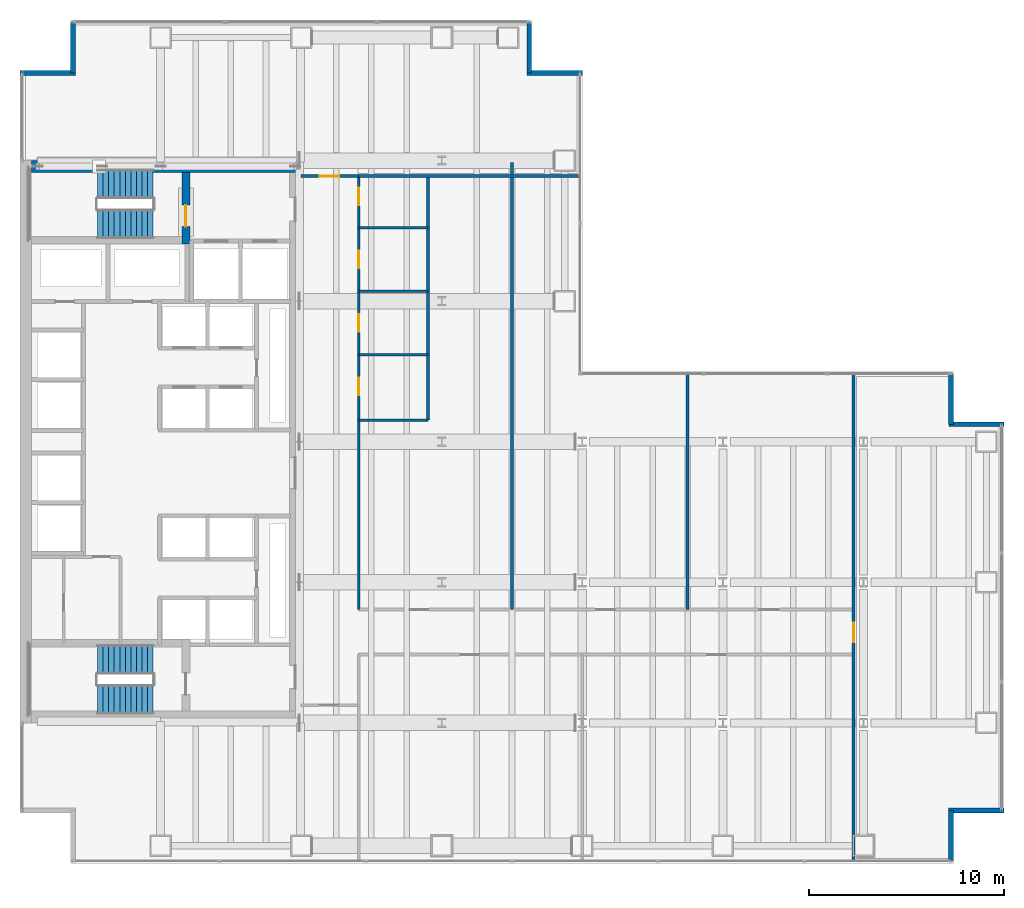
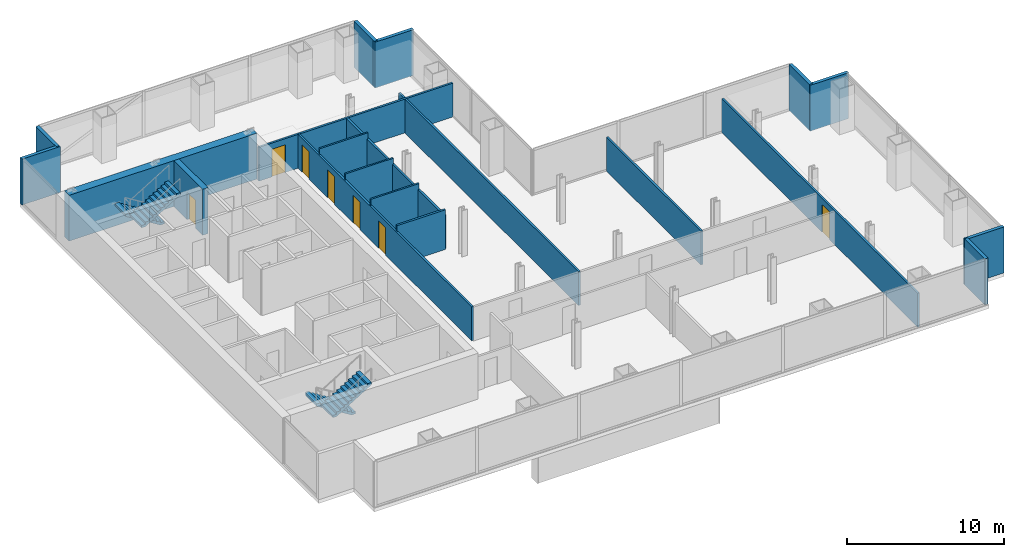
# One storey, part 22 of 24: 21 walls, 7 doors, 4 stair flights, 7 openings, 2 elements without a shape of their own.
"""IFC4 building model written with IfcOpenShell, lengths in metres."""

from ifc_helpers import new_model, si_unit, direction, frame, frame_2d, origin, place, context, subcontext, project, spatial, polyline, rectangle, outline, extrude, material, layer, layer_set, type_object, element, fill, aggregate, save


model = new_model("IFC4")

# Units and contexts
model_context = context("Model", 3, precision=1e-05, world=origin(), true_north=direction((0.0, 1.0)))
body_context = subcontext(model_context, "Body", "Model", "MODEL_VIEW")
ifc_project = project(units=[si_unit("LENGTHUNIT", "METRE"), si_unit("AREAUNIT", "SQUARE_METRE"), si_unit("VOLUMEUNIT", "CUBIC_METRE"), si_unit("PLANEANGLEUNIT", "RADIAN"), si_unit("MASSUNIT", "GRAM", prefix="KILO")], contexts=[model_context])

# Site, building, storey
site_placement = place(None, origin())
site = spatial("IfcSite", under=ifc_project, at=site_placement, CompositionType="ELEMENT")
building_placement = place(site_placement, origin())
building = spatial("IfcBuilding", under=site, at=building_placement, Name="Cobrela Telecom Tower", CompositionType="ELEMENT")
storey_placement = place(building_placement, frame((0.0, 0.0, 31.14990234375)))
storey = spatial("IfcBuildingStorey", under=building, at=storey_placement, Name="L07", CompositionType="ELEMENT", Elevation=31.14990234375)

# Walls
ifc_material_1 = material(Name="Concrete C50/60", Category="concrete")
ifc_layer_1 = layer(ifc_material_1, 0.60009765625)
ifc_layer_set_1 = layer_set([ifc_layer_1], Name="Concrete C50/60")
wall_type_1 = type_object("IfcWallType", Name="WALL-CORE-C50-600", PredefinedType="SHEAR", material=ifc_layer_set_1)
wall_1_placement = place(storey_placement, frame((0.60009765625, 35.699951171875, 0.0), z_axis=(0.0, 0.0, 1.0), x_axis=(1.0, 0.0, 0.0)))
element("IfcWall", 1, at=wall_1_placement, inside=storey, type_object=wall_type_1, Name="L07 North Core Shear Wall", PredefinedType="SHEAR", context=body_context, shape_type="SweptSolid", body=[
    extrude(rectangle(XDim=13.7998046875, YDim=0.60009765625, at=frame_2d((6.89990234375, 0.0))), origin(), (0.0, 0.0, 1.0), 3.570068359375),
])
ifc_material_2 = material(Name="Concrete C40/50", Category="concrete")
ifc_layer_2 = layer(ifc_material_2, 0.239990234375)
ifc_layer_set_2 = layer_set([ifc_layer_2], Name="Concrete C40/50")
wall_type_2 = type_object("IfcWallType", Name="WALL-EXT-300", PredefinedType="STANDARD", material=ifc_layer_set_2)
wall_2_placement = place(storey_placement, frame((0.0, 40.489990234375, 0.0), z_axis=(0.0, 0.0, 1.0), x_axis=(1.0, 0.0, 0.0)))
element("IfcWall", 2, at=wall_2_placement, inside=storey, type_object=wall_type_2, Name="L07 Insulated Facade Wall 05", PredefinedType="STANDARD", context=body_context, shape_type="SweptSolid", body=[
    extrude(rectangle(XDim=2.830078125, YDim=0.239990234375, at=frame_2d((1.4150390625, 0.0))), origin(), (0.0, 0.0, 1.0), 3.570068359375),
])
for number, where, z_axis, x_axis, name in (
    (3, (2.7099609375, 40.489990234375, 0.0), (0.0, 0.0, 1.0), (0.0, 1.0, 0.0), "L07 Insulated Facade Wall 06"),
    (4, (26.090087890625, 43.080078125, 0.0), (0.0, 0.0, 1.0), (0.0, -1.0, 0.0), "L07 Insulated Facade Wall 08"),
):
    element("IfcWall", number, at=place(storey_placement, frame(where, z_axis=z_axis, x_axis=x_axis)), inside=storey, type_object=wall_type_2, Name=name, PredefinedType="STANDARD", context=body_context, shape_type="SweptSolid", body=[
        extrude(rectangle(XDim=2.590087890625, YDim=0.239990234375, at=frame_2d((1.294921875, 0.0))), origin(), (0.0, 0.0, 1.0), 3.570068359375),
    ])
wall_3_placement = place(storey_placement, frame((25.969970703125, 40.489990234375, 0.0), z_axis=(0.0, 0.0, 1.0), x_axis=(1.0, 0.0, 0.0)))
element("IfcWall", 5, at=wall_3_placement, inside=storey, type_object=wall_type_2, Name="L07 Insulated Facade Wall 09", PredefinedType="STANDARD", context=body_context, shape_type="SweptSolid", body=[
    extrude(rectangle(XDim=2.830078125, YDim=0.239990234375, at=frame_2d((1.4150390625, 0.0))), origin(), (0.0, 0.0, 1.0), 3.570068359375),
])
wall_4_placement = place(storey_placement, frame((47.68994140625, 25.080078125, 0.0), z_axis=(0.0, 0.0, 1.0), x_axis=(0.0, -1.0, 0.0)))
element("IfcWall", 6, at=wall_4_placement, inside=storey, type_object=wall_type_2, Name="L07 Insulated Facade Wall 12", PredefinedType="STANDARD", context=body_context, shape_type="SweptSolid", body=[
    extrude(rectangle(XDim=2.590087890625, YDim=0.239990234375, at=frame_2d((1.294921875, 0.0))), origin(), (0.0, 0.0, 1.0), 3.570068359375),
])
for number, where, z_axis, x_axis, name in (
    (7, (47.570068359375, 22.489990234375, 0.0), (0.0, 0.0, 1.0), (1.0, 0.0, 0.0), "L07 Insulated Facade Wall 13"),
    (8, (50.39990234375, 2.7099609375, 0.0), (0.0, 0.0, 1.0), (-1.0, 0.0, 0.0), "L07 Insulated Facade Wall 15"),
):
    element("IfcWall", number, at=place(storey_placement, frame(where, z_axis=z_axis, x_axis=x_axis)), inside=storey, type_object=wall_type_2, Name=name, PredefinedType="STANDARD", context=body_context, shape_type="SweptSolid", body=[
        extrude(rectangle(XDim=2.829833984375, YDim=0.239990234375, at=frame_2d((1.4150390625, 0.0))), origin(), (0.0, 0.0, 1.0), 3.570068359375),
    ])
wall_5_placement = place(storey_placement, frame((47.68994140625, 2.7099609375, 0.0), z_axis=(0.0, 0.0, 1.0), x_axis=(0.0, -1.0, 0.0)))
element("IfcWall", 9, at=wall_5_placement, inside=storey, type_object=wall_type_2, Name="L07 Insulated Facade Wall 16", PredefinedType="STANDARD", context=body_context, shape_type="SweptSolid", body=[
    extrude(rectangle(XDim=2.58984375, YDim=0.239990234375, at=frame_2d((1.294921875, 0.0))), origin(), (0.0, 0.0, 1.0), 3.570068359375),
])
ifc_material_3 = material(Name="Fire-Rated Gypsum Plasterboard")
ifc_layer_3 = layer(ifc_material_3, 0.125)
ifc_layer_set_3 = layer_set([ifc_layer_3], Name="Fire-Rated Gypsum Plasterboard")
wall_type_3 = type_object("IfcWallType", Name="WALL-PART-125", PredefinedType="PARTITIONING", material=ifc_layer_set_3)
for number, where, z_axis, x_axis, name in (
    (10, (17.35009765625, 26.050048828125, 0.0), (0.0, 0.0, 1.0), (1.0, 0.0, 0.0), "L07 Interior Partition W-WCD-1"),
    (11, (17.35009765625, 29.300048828125, 0.0), (0.0, 0.0, 1.0), (1.0, 0.0, 0.0), "L07 Interior Partition W-WCD-2"),
    (12, (17.35009765625, 32.550048828125, 0.0), (0.0, 0.0, 1.0), (1.0, 0.0, 0.0), "L07 Interior Partition W-WCD-3"),
):
    element("IfcWall", number, at=place(storey_placement, frame(where, z_axis=z_axis, x_axis=x_axis)), inside=storey, type_object=wall_type_3, Name=name, PredefinedType="PARTITIONING", context=body_context, shape_type="SweptSolid", body=[
        extrude(rectangle(XDim=3.5498046875, YDim=0.125, at=frame_2d((1.77490234375, 0.0))), origin(), (0.0, 0.0, 1.0), 3.088134765625),
    ])

# Wall, opening, door
ifc_layer_4 = layer(ifc_material_3, 0.14990234375)
ifc_layer_set_4 = layer_set([ifc_layer_4], Name="Fire-Rated Gypsum Plasterboard")
wall_type_4 = type_object("IfcWallType", Name="WALL-PART-150", PredefinedType="PARTITIONING", material=ifc_layer_set_4)
wall_6_placement = place(storey_placement, frame((14.39990234375, 35.199951171875, 0.0), z_axis=(0.0, 0.0, 1.0), x_axis=(1.0, 0.0, 0.0)))
wall_6 = element("IfcWall", 13, at=wall_6_placement, inside=storey, type_object=wall_type_4, Name="L07 Interior Partition W-C-N0", PredefinedType="PARTITIONING", context=body_context, shape_type="SweptSolid", body=[
    extrude(rectangle(XDim=2.9501953125, YDim=0.14990234375, at=frame_2d((1.47509765625, 0.0))), origin(), (0.0, 0.0, 1.0), 2.628173828125),
])
opening_1_placement = place(wall_6_placement, frame((0.949951171875, 0.0, 0.0)))
opening_1 = element("IfcOpeningElement", 14, at=opening_1_placement, cuts=wall_6, Name="Opening DR-31", PredefinedType="OPENING", context=body_context, shape_type="SweptSolid", body=[
    extrude(rectangle(XDim=1.0, YDim=2.14990234375, at=frame_2d((0.5, 1.074951171875))), frame((0.0, 0.0869140625, 0.0), z_axis=(0.0, -1.0, 0.0), x_axis=(1.0, 0.0, 0.0)), (0.0, 0.0, 1.0), 0.173828125),
])
ifc_material_4 = material(Name="Solid Engineered Oak Timber", Category="wood")
door_type_1 = type_object("IfcDoorType", Name="DOOR-INT-1000", OperationType="SINGLE_SWING_LEFT", PredefinedType="DOOR", material=ifc_material_4)
door_1_placement = place(opening_1_placement, origin())
door_1 = element("IfcDoor", 15, at=door_1_placement, inside=storey, type_object=door_type_1, Name="L07 Door DR-31", OperationType="SINGLE_SWING_LEFT", OverallHeight=2.14990234375, OverallWidth=1.0, PredefinedType="DOOR", context=body_context, shape_type="SweptSolid", body=[
    extrude(rectangle(XDim=1.0, YDim=2.14990234375, at=frame_2d((0.5, 1.074951171875))), frame((0.0, 0.02490234375, 0.0), z_axis=(0.0, -1.0, 0.0), x_axis=(1.0, 0.0, 0.0)), (0.0, 0.0, 1.0), 0.050048828125),
])
fill(opening_1, door_1)

# Wall, openings, doors
wall_7_placement = place(storey_placement, frame((17.35009765625, 13.0, 0.0), z_axis=(0.0, 0.0, 1.0), x_axis=(0.0, 1.0, 0.0)))
wall_7 = element("IfcWall", 16, at=wall_7_placement, inside=storey, type_object=wall_type_4, Name="L07 Interior Partition W-C-E2", PredefinedType="PARTITIONING", context=body_context, shape_type="SweptSolid", body=[
    extrude(rectangle(XDim=22.199951171875, YDim=0.14990234375, at=frame_2d((11.10009765625, 0.0))), origin(), (0.0, 0.0, 1.0), 2.628173828125),
])
opening_2_placement = place(wall_7_placement, frame((10.97998046875, 0.0, 0.0)))
opening_2 = element("IfcOpeningElement", 17, at=opening_2_placement, cuts=wall_7, Name="Opening DR-41", PredefinedType="OPENING", context=body_context, shape_type="SweptSolid", body=[
    extrude(rectangle(XDim=0.89990234375, YDim=2.14990234375, at=frame_2d((0.449951171875, 1.074951171875))), frame((0.0, 0.0869140625, 0.0), z_axis=(0.0, -1.0, 0.0), x_axis=(1.0, 0.0, 0.0)), (0.0, 0.0, 1.0), 0.173828125),
])
opening_3_placement = place(wall_7_placement, frame((14.22998046875, 0.0, 0.0)))
opening_3 = element("IfcOpeningElement", 18, at=opening_3_placement, cuts=wall_7, Name="Opening DR-41", PredefinedType="OPENING", context=body_context, shape_type="SweptSolid", body=[
    extrude(rectangle(XDim=0.89990234375, YDim=2.14990234375, at=frame_2d((0.449951171875, 1.074951171875))), frame((0.0, 0.0869140625, 0.0), z_axis=(0.0, -1.0, 0.0), x_axis=(1.0, 0.0, 0.0)), (0.0, 0.0, 1.0), 0.173828125),
])
opening_4_placement = place(wall_7_placement, frame((17.47998046875, 0.0, 0.0)))
opening_4 = element("IfcOpeningElement", 19, at=opening_4_placement, cuts=wall_7, Name="Opening DR-41", PredefinedType="OPENING", context=body_context, shape_type="SweptSolid", body=[
    extrude(rectangle(XDim=0.89990234375, YDim=2.14990234375, at=frame_2d((0.449951171875, 1.074951171875))), frame((0.0, 0.0869140625, 0.0), z_axis=(0.0, -1.0, 0.0), x_axis=(1.0, 0.0, 0.0)), (0.0, 0.0, 1.0), 0.173828125),
])
opening_5_placement = place(wall_7_placement, frame((20.719970703125, 0.0, 0.0)))
opening_5 = element("IfcOpeningElement", 20, at=opening_5_placement, cuts=wall_7, Name="Opening DR-41", PredefinedType="OPENING", context=body_context, shape_type="SweptSolid", body=[
    extrude(rectangle(XDim=0.89990234375, YDim=2.14990234375, at=frame_2d((0.449951171875, 1.074951171875))), frame((0.0, 0.0869140625, 0.0), z_axis=(0.0, -1.0, 0.0), x_axis=(1.0, 0.0, 0.0)), (0.0, 0.0, 1.0), 0.173828125),
])
door_type_2 = type_object("IfcDoorType", Name="DOOR-INT-900", OperationType="SINGLE_SWING_LEFT", PredefinedType="DOOR", material=ifc_material_4)
door_2_placement = place(opening_2_placement, origin())
door_2 = element("IfcDoor", 21, at=door_2_placement, inside=storey, type_object=door_type_2, Name="L07 Door DR-41", OperationType="SINGLE_SWING_LEFT", OverallHeight=2.14990234375, OverallWidth=0.89990234375, PredefinedType="DOOR", context=body_context, shape_type="SweptSolid", body=[
    extrude(rectangle(XDim=0.89990234375, YDim=2.14990234375, at=frame_2d((0.449951171875, 1.074951171875))), frame((0.0, 0.02490234375, 0.0), z_axis=(0.0, -1.0, 0.0), x_axis=(1.0, 0.0, 0.0)), (0.0, 0.0, 1.0), 0.050048828125),
])
fill(opening_2, door_2)
door_3_placement = place(opening_3_placement, origin())
door_3 = element("IfcDoor", 22, at=door_3_placement, inside=storey, type_object=door_type_2, Name="L07 Door DR-41", OperationType="SINGLE_SWING_RIGHT", OverallHeight=2.14990234375, OverallWidth=0.89990234375, PredefinedType="DOOR", context=body_context, shape_type="SweptSolid", body=[
    extrude(rectangle(XDim=0.89990234375, YDim=2.14990234375, at=frame_2d((0.449951171875, 1.074951171875))), frame((0.0, 0.02490234375, 0.0), z_axis=(0.0, -1.0, 0.0), x_axis=(1.0, 0.0, 0.0)), (0.0, 0.0, 1.0), 0.050048828125),
])
fill(opening_3, door_3)
door_4_placement = place(opening_4_placement, origin())
door_4 = element("IfcDoor", 23, at=door_4_placement, inside=storey, type_object=door_type_2, Name="L07 Door DR-41", OperationType="SINGLE_SWING_LEFT", OverallHeight=2.14990234375, OverallWidth=0.89990234375, PredefinedType="DOOR", context=body_context, shape_type="SweptSolid", body=[
    extrude(rectangle(XDim=0.89990234375, YDim=2.14990234375, at=frame_2d((0.449951171875, 1.074951171875))), frame((0.0, 0.02490234375, 0.0), z_axis=(0.0, -1.0, 0.0), x_axis=(1.0, 0.0, 0.0)), (0.0, 0.0, 1.0), 0.050048828125),
])
fill(opening_4, door_4)
door_5_placement = place(opening_5_placement, origin())
door_5 = element("IfcDoor", 24, at=door_5_placement, inside=storey, type_object=door_type_2, Name="L07 Door DR-41", OperationType="SINGLE_SWING_RIGHT", OverallHeight=2.14990234375, OverallWidth=0.89990234375, PredefinedType="DOOR", context=body_context, shape_type="SweptSolid", body=[
    extrude(rectangle(XDim=0.89990234375, YDim=2.14990234375, at=frame_2d((0.449951171875, 1.074951171875))), frame((0.0, 0.02490234375, 0.0), z_axis=(0.0, -1.0, 0.0), x_axis=(1.0, 0.0, 0.0)), (0.0, 0.0, 1.0), 0.050048828125),
])
fill(opening_5, door_5)

# Wall, opening, door
wall_8_placement = place(storey_placement, frame((42.699951171875, 0.1201171875, 0.0), z_axis=(0.0, 0.0, 1.0), x_axis=(0.0, 1.0, 0.0)))
wall_8 = element("IfcWall", 25, at=wall_8_placement, inside=storey, type_object=wall_type_4, Name="L07 Interior Partition W-C-END", PredefinedType="PARTITIONING", context=body_context, shape_type="SweptSolid", body=[
    extrude(rectangle(XDim=24.9599609375, YDim=0.14990234375, at=frame_2d((12.47998046875, 0.0))), origin(), (0.0, 0.0, 1.0), 2.628173828125),
])
opening_6_placement = place(wall_8_placement, frame((11.199951171875, 0.0, 0.0)))
opening_6 = element("IfcOpeningElement", 26, at=opening_6_placement, cuts=wall_8, Name="Opening DR-31", PredefinedType="OPENING", context=body_context, shape_type="SweptSolid", body=[
    extrude(rectangle(XDim=1.0, YDim=2.14990234375, at=frame_2d((0.5, 1.074951171875))), frame((0.0, 0.0869140625, 0.0), z_axis=(0.0, -1.0, 0.0), x_axis=(1.0, 0.0, 0.0)), (0.0, 0.0, 1.0), 0.173828125),
])
door_6_placement = place(opening_6_placement, origin())
door_6 = element("IfcDoor", 27, at=door_6_placement, inside=storey, type_object=door_type_1, Name="L07 Door DR-31", OperationType="SINGLE_SWING_LEFT", OverallHeight=2.14990234375, OverallWidth=1.0, PredefinedType="DOOR", context=body_context, shape_type="SweptSolid", body=[
    extrude(rectangle(XDim=1.0, YDim=2.14990234375, at=frame_2d((0.5, 1.074951171875))), frame((0.0, 0.02490234375, 0.0), z_axis=(0.0, -1.0, 0.0), x_axis=(1.0, 0.0, 0.0)), (0.0, 0.0, 1.0), 0.050048828125),
])
fill(opening_6, door_6)

# Walls
wall_9_placement = place(storey_placement, frame((17.35009765625, 35.199951171875, 0.0), z_axis=(0.0, 0.0, 1.0), x_axis=(1.0, 0.0, 0.0)))
element("IfcWall", 28, at=wall_9_placement, inside=storey, type_object=wall_type_4, Name="L07 Interior Partition W-NW-S", PredefinedType="PARTITIONING", context=body_context, shape_type="SweptSolid", body=[
    extrude(rectangle(XDim=11.329833984375, YDim=0.14990234375, at=frame_2d((5.6650390625, 0.0))), origin(), (0.0, 0.0, 1.0), 2.628173828125),
])
wall_10_placement = place(storey_placement, frame((17.35009765625, 22.699951171875, 0.0), z_axis=(0.0, 0.0, 1.0), x_axis=(1.0, 0.0, 0.0)))
element("IfcWall", 29, at=wall_10_placement, inside=storey, type_object=wall_type_4, Name="L07 Interior Partition W-WC-S", PredefinedType="PARTITIONING", context=body_context, shape_type="SweptSolid", body=[
    extrude(rectangle(XDim=3.5498046875, YDim=0.14990234375, at=frame_2d((1.77490234375, 0.0))), origin(), (0.0, 0.0, 1.0), 3.088134765625),
])
wall_11_placement = place(storey_placement, frame((20.89990234375, 22.699951171875, 0.0), z_axis=(0.0, 0.0, 1.0), x_axis=(0.0, 1.0, 0.0)))
element("IfcWall", 30, at=wall_11_placement, inside=storey, type_object=wall_type_4, Name="L07 Interior Partition W-WC-E", PredefinedType="PARTITIONING", context=body_context, shape_type="SweptSolid", body=[
    extrude(rectangle(XDim=12.5, YDim=0.14990234375, at=frame_2d((6.25, 0.0))), origin(), (0.0, 0.0, 1.0), 2.628173828125),
])
wall_12_placement = place(storey_placement, frame((25.199951171875, 13.0, 0.0), z_axis=(0.0, 0.0, 1.0), x_axis=(0.0, 1.0, 0.0)))
element("IfcWall", 31, at=wall_12_placement, inside=storey, type_object=wall_type_4, Name="L07 Interior Partition W-NV-1", PredefinedType="PARTITIONING", context=body_context, shape_type="SweptSolid", body=[
    extrude(rectangle(XDim=22.89990234375, YDim=0.14990234375, at=frame_2d((11.449951171875, 0.0))), origin(), (0.0, 0.0, 1.0), 2.628173828125),
])
wall_13_placement = place(storey_placement, frame((34.199951171875, 13.0, 0.0), z_axis=(0.0, 0.0, 1.0), x_axis=(0.0, 1.0, 0.0)))
element("IfcWall", 32, at=wall_13_placement, inside=storey, type_object=wall_type_4, Name="L07 Interior Partition W-NV-2", PredefinedType="PARTITIONING", context=body_context, shape_type="SweptSolid", body=[
    extrude(rectangle(XDim=12.050048828125, YDim=0.14990234375, at=frame_2d((6.02490234375, 0.0))), origin(), (0.0, 0.0, 1.0), 2.628173828125),
])

# Wall, opening, door
ifc_layer_5 = layer(ifc_material_2, 0.39990234375)
ifc_layer_set_5 = layer_set([ifc_layer_5], Name="Concrete C40/50")
wall_type_5 = type_object("IfcWallType", Name="WALL-SHAFT-C40-400", PredefinedType="SHEAR", material=ifc_layer_set_5)
wall_14_placement = place(storey_placement, frame((8.5, 31.719970703125, 0.0), z_axis=(0.0, 0.0, 1.0), x_axis=(0.0, 1.0, 0.0)))
wall_14 = element("IfcWall", 33, at=wall_14_placement, inside=storey, type_object=wall_type_5, Name="L07 North Stair Lobby Shear Wall", PredefinedType="SHEAR", context=body_context, shape_type="SweptSolid", body=[
    extrude(rectangle(XDim=3.679931640625, YDim=0.39990234375, at=frame_2d((1.83984375, 0.0))), origin(), (0.0, 0.0, 1.0), 3.570068359375),
])
opening_7_placement = place(wall_14_placement, frame((0.89990234375, 0.0, 0.0)))
opening_7 = element("IfcOpeningElement", 34, at=opening_7_placement, cuts=wall_14, Name="Opening DR-59", PredefinedType="OPENING", context=body_context, shape_type="SweptSolid", body=[
    extrude(rectangle(XDim=1.10009765625, YDim=2.14990234375, at=frame_2d((0.550048828125, 1.074951171875))), frame((0.0, 0.2119140625, 0.0), z_axis=(0.0, -1.0, 0.0), x_axis=(1.0, 0.0, 0.0)), (0.0, 0.0, 1.0), 0.423828125),
])
ifc_material_5 = material(Name="Steel ASTM A36", Category="steel")
door_type_3 = type_object("IfcDoorType", Name="DOOR-FD60-1100", OperationType="SINGLE_SWING_LEFT", PredefinedType="DOOR", material=ifc_material_5)
door_7_placement = place(opening_7_placement, origin())
door_7 = element("IfcDoor", 35, at=door_7_placement, inside=storey, type_object=door_type_3, Name="L07 Door DR-59", OperationType="SINGLE_SWING_RIGHT", OverallHeight=2.14990234375, OverallWidth=1.10009765625, PredefinedType="DOOR", context=body_context, shape_type="SweptSolid", body=[
    extrude(rectangle(XDim=1.10009765625, YDim=2.14990234375, at=frame_2d((0.550048828125, 1.074951171875))), frame((0.0, 0.02490234375, 0.0), z_axis=(0.0, -1.0, 0.0), x_axis=(1.0, 0.0, 0.0)), (0.0, 0.0, 1.0), 0.050048828125),
])
fill(opening_7, door_7)

# Stair, stair flights
stair_type = type_object("IfcStairType", Name="STAIR-CORE", PredefinedType="HALF_TURN_STAIR", material=ifc_material_2)
stair_1_placement = place(storey_placement, origin())
stair_1 = element("IfcStair", 36, at=stair_1_placement, inside=storey, type_object=stair_type, Name="L07 Smokeproof Exit Stair ST1", PredefinedType="HALF_TURN_STAIR")
stair_flight_type = type_object("IfcStairFlightType", Name="FLIGHT-CORE", PredefinedType="STRAIGHT", material=ifc_material_2)
stair_flight_1_placement = place(storey_placement, frame((6.820068359375, 34.800048828125, 0.0), z_axis=(0.0, 0.0, 1.0), x_axis=(-1.0, 0.0, 0.0)))
stair_flight_1 = element("IfcStairFlight", 37, at=stair_flight_1_placement, type_object=stair_flight_type, Name="ST1 flight 1", NumberOfRisers=11, NumberOfTreads=10, PredefinedType="STRAIGHT", RiserHeight=0.175, TreadLength=0.285, context=body_context, shape_type="SweptSolid", body=[
    extrude(outline(polyline([(0.0, 0.0), (0.0, 0.175048828125), (0.284912109375, 0.175048828125), (0.284912109375, 0.35009765625), (0.570068359375, 0.35009765625), (0.570068359375, 0.52490234375), (0.85498046875, 0.52490234375), (0.85498046875, 0.699951171875), (1.139892578125, 0.699951171875), (1.139892578125, 0.875), (1.425048828125, 0.875), (1.425048828125, 1.050048828125), (1.7099609375, 1.050048828125), (1.7099609375, 1.22509765625), (1.9951171875, 1.22509765625), (1.9951171875, 1.39990234375), (2.280029296875, 1.39990234375), (2.280029296875, 1.574951171875), (2.56494140625, 1.574951171875), (2.56494140625, 1.75), (2.85009765625, 1.75), (2.85009765625, 1.925048828125), (2.85009765625, 1.573974609375), (0.286376953125, 0.0), (0.0, 0.0)])), frame((0.0, 0.75, 0.0), z_axis=(0.0, -1.0, 0.0), x_axis=(1.0, 0.0, 0.0)), (0.0, 0.0, 1.0), 1.5),
])
stair_flight_2_placement = place(storey_placement, frame((3.969970703125, 32.75, 1.925048828125), z_axis=(0.0, 0.0, 1.0), x_axis=(1.0, 0.0, 0.0)))
stair_flight_2 = element("IfcStairFlight", 38, at=stair_flight_2_placement, type_object=stair_flight_type, Name="ST1 flight 2", NumberOfRisers=11, NumberOfTreads=10, PredefinedType="STRAIGHT", RiserHeight=0.175, TreadLength=0.285, context=body_context, shape_type="SweptSolid", body=[
    extrude(outline(polyline([(0.0, 0.0), (0.0, 0.175048828125), (0.284912109375, 0.175048828125), (0.284912109375, 0.35009765625), (0.570068359375, 0.35009765625), (0.570068359375, 0.52490234375), (0.85498046875, 0.52490234375), (0.85498046875, 0.699951171875), (1.139892578125, 0.699951171875), (1.139892578125, 0.875), (1.425048828125, 0.875), (1.425048828125, 1.050048828125), (1.7099609375, 1.050048828125), (1.7099609375, 1.22509765625), (1.9951171875, 1.22509765625), (1.9951171875, 1.39990234375), (2.280029296875, 1.39990234375), (2.280029296875, 1.574951171875), (2.56494140625, 1.574951171875), (2.56494140625, 1.75), (2.85009765625, 1.75), (2.85009765625, 1.925048828125), (2.85009765625, 1.573974609375), (0.286376953125, 0.0), (0.0, 0.0)])), frame((0.0, 0.75, 0.0), z_axis=(0.0, -1.0, 0.0), x_axis=(1.0, 0.0, 0.0)), (0.0, 0.0, 1.0), 1.5),
])
aggregate(stair_1, [stair_flight_1, stair_flight_2])

stair_2_placement = place(storey_placement, origin())
stair_2 = element("IfcStair", 39, at=stair_2_placement, inside=storey, type_object=stair_type, Name="L07 Smokeproof Exit Stair ST2", PredefinedType="HALF_TURN_STAIR")
stair_flight_3_placement = place(storey_placement, frame((6.820068359375, 10.449951171875, 0.0), z_axis=(0.0, 0.0, 1.0), x_axis=(-1.0, 0.0, 0.0)))
stair_flight_3 = element("IfcStairFlight", 40, at=stair_flight_3_placement, type_object=stair_flight_type, Name="ST2 flight 1", NumberOfRisers=11, NumberOfTreads=10, PredefinedType="STRAIGHT", RiserHeight=0.175, TreadLength=0.285, context=body_context, shape_type="SweptSolid", body=[
    extrude(outline(polyline([(0.0, 0.0), (0.0, 0.175048828125), (0.284912109375, 0.175048828125), (0.284912109375, 0.35009765625), (0.570068359375, 0.35009765625), (0.570068359375, 0.52490234375), (0.85498046875, 0.52490234375), (0.85498046875, 0.699951171875), (1.139892578125, 0.699951171875), (1.139892578125, 0.875), (1.425048828125, 0.875), (1.425048828125, 1.050048828125), (1.7099609375, 1.050048828125), (1.7099609375, 1.22509765625), (1.9951171875, 1.22509765625), (1.9951171875, 1.39990234375), (2.280029296875, 1.39990234375), (2.280029296875, 1.574951171875), (2.56494140625, 1.574951171875), (2.56494140625, 1.75), (2.85009765625, 1.75), (2.85009765625, 1.925048828125), (2.85009765625, 1.573974609375), (0.286376953125, 0.0), (0.0, 0.0)])), frame((0.0, 0.75, 0.0), z_axis=(0.0, -1.0, 0.0), x_axis=(1.0, 0.0, 0.0)), (0.0, 0.0, 1.0), 1.5),
])
stair_flight_4_placement = place(storey_placement, frame((3.969970703125, 8.39990234375, 1.925048828125), z_axis=(0.0, 0.0, 1.0), x_axis=(1.0, 0.0, 0.0)))
stair_flight_4 = element("IfcStairFlight", 41, at=stair_flight_4_placement, type_object=stair_flight_type, Name="ST2 flight 2", NumberOfRisers=11, NumberOfTreads=10, PredefinedType="STRAIGHT", RiserHeight=0.175, TreadLength=0.285, context=body_context, shape_type="SweptSolid", body=[
    extrude(outline(polyline([(0.0, 0.0), (0.0, 0.175048828125), (0.284912109375, 0.175048828125), (0.284912109375, 0.35009765625), (0.570068359375, 0.35009765625), (0.570068359375, 0.52490234375), (0.85498046875, 0.52490234375), (0.85498046875, 0.699951171875), (1.139892578125, 0.699951171875), (1.139892578125, 0.875), (1.425048828125, 0.875), (1.425048828125, 1.050048828125), (1.7099609375, 1.050048828125), (1.7099609375, 1.22509765625), (1.9951171875, 1.22509765625), (1.9951171875, 1.39990234375), (2.280029296875, 1.39990234375), (2.280029296875, 1.574951171875), (2.56494140625, 1.574951171875), (2.56494140625, 1.75), (2.85009765625, 1.75), (2.85009765625, 1.925048828125), (2.85009765625, 1.573974609375), (0.286376953125, 0.0), (0.0, 0.0)])), frame((0.0, 0.75, 0.0), z_axis=(0.0, -1.0, 0.0), x_axis=(1.0, 0.0, 0.0)), (0.0, 0.0, 1.0), 1.5),
])
aggregate(stair_2, [stair_flight_3, stair_flight_4])

save(model, "model.ifc")
